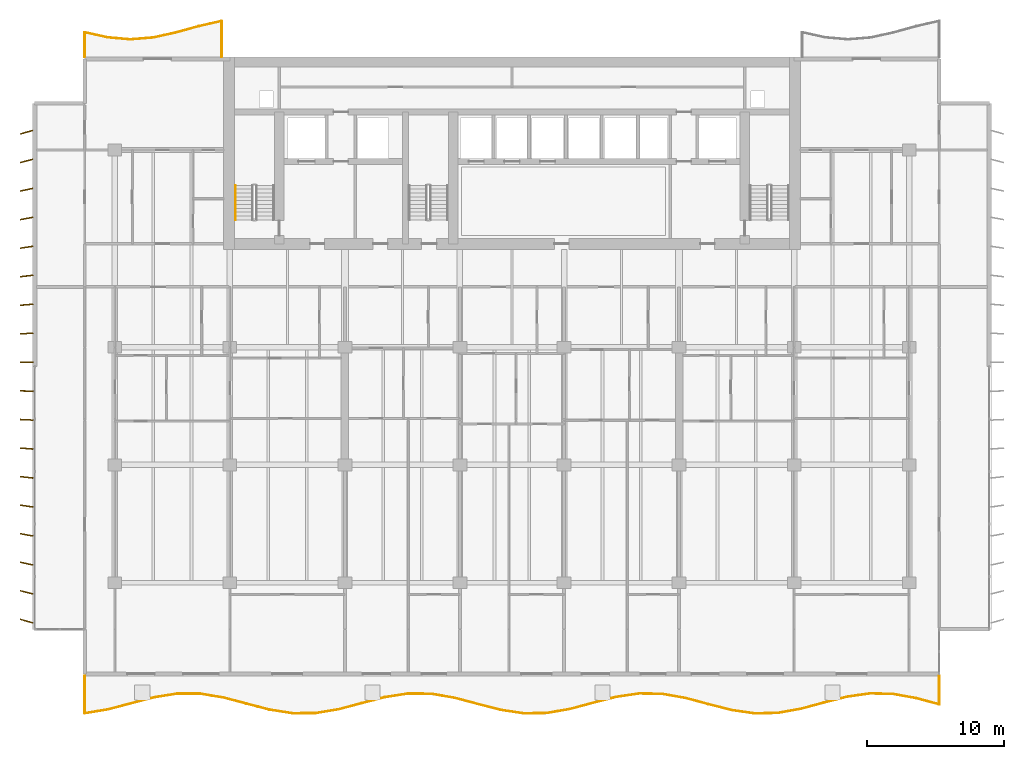
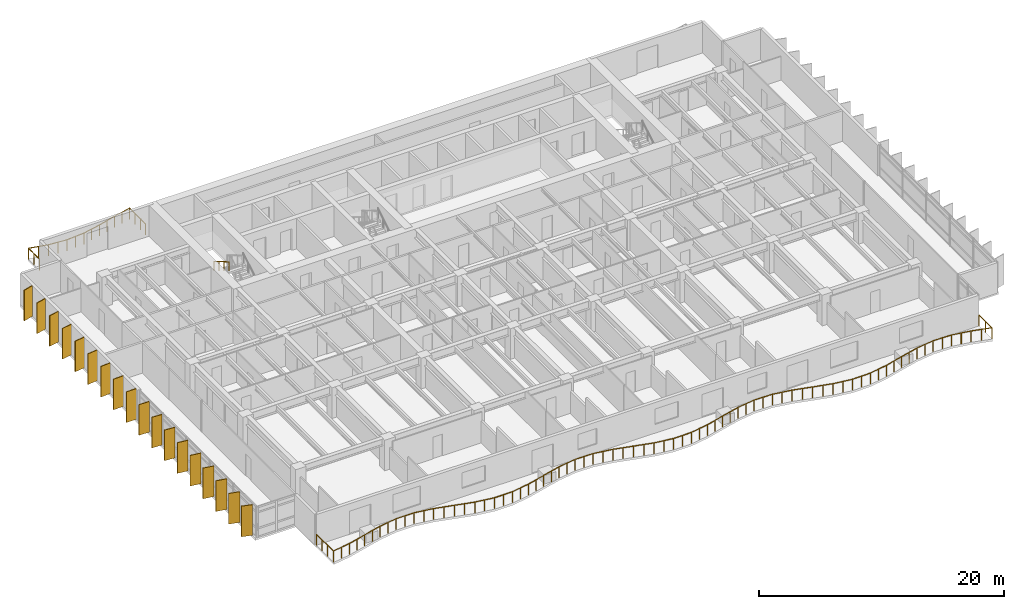
# One storey, part 16 of 19: 18 shading devices, 3 railings.
"""IFC4 building model written with IfcOpenShell, lengths in metres."""

from ifc_helpers import new_model, si_unit, direction, frame, origin, origin_2d, place, context, subcontext, project, spatial, rectangle, circle, extrude, material, material_profile, profile_set, type_object, element, save


model = new_model("IFC4")

# Units and contexts
model_context = context("Model", 3, precision=1e-05, world=origin(), true_north=direction((0.0, 1.0)))
body_context = subcontext(model_context, "Body", "Model", "MODEL_VIEW")
ifc_project = project(units=[si_unit("LENGTHUNIT", "METRE"), si_unit("AREAUNIT", "SQUARE_METRE"), si_unit("VOLUMEUNIT", "CUBIC_METRE"), si_unit("PLANEANGLEUNIT", "RADIAN"), si_unit("MASSUNIT", "GRAM", prefix="KILO")], contexts=[model_context])

# Site, building, storey
site_placement = place(None, origin())
site = spatial("IfcSite", under=ifc_project, at=site_placement, CompositionType="ELEMENT")
building_placement = place(site_placement, origin())
building = spatial("IfcBuilding", under=site, at=building_placement, Name="Caelmar Bay Residences", CompositionType="ELEMENT")
storey_placement = place(building_placement, frame((0.0, 0.0, 91.199951171875)))
storey = spatial("IfcBuildingStorey", under=building, at=storey_placement, Name="L24", CompositionType="ELEMENT", Elevation=91.199951171875)

# Railings
ifc_material_1 = material(Name="Anodised bronze handrail with laminated hurricane glass infill", Category="glass")
railing_type_1 = type_object("IfcRailingType", Name="RL-BAL-1100", PredefinedType="BALUSTRADE", material=ifc_material_1)
railing_1_placement = place(storey_placement, frame((7.699951171875, 5.39990234375, 0.0)))
element("IfcRailing", 1, at=railing_1_placement, inside=storey, type_object=railing_type_1, Name="L24 south Balcony Balustrade", PredefinedType="BALUSTRADE", context=body_context, shape_type="SweptSolid", body=[
    extrude(circle(Radius=0.02392578125, at=origin_2d()), frame((0.0, 0.0, 1.076171875), z_axis=(0.0, -1.0, 0.0), x_axis=(1.0, 0.0, 0.0)), (0.0, 0.0, 1.0), 2.733154296875),
    extrude(circle(Radius=0.02392578125, at=origin_2d()), frame((0.0, -2.733154296875, 1.076171875), z_axis=(0.987065173656, 0.160319502728, 0.0), x_axis=(-0.160319502728, 0.987065173656, 0.0)), (0.0, 0.0, 1.0), 1.708740234375),
    extrude(circle(Radius=0.02392578125, at=origin_2d()), frame((1.6865234375, -2.459228515625, 1.076171875), z_axis=(0.967208611975, 0.253983268981, 0.0), x_axis=(-0.253983268981, 0.967208611975, 0.0)), (0.0, 0.0, 1.0), 1.74365234375),
    extrude(circle(Radius=0.02392578125, at=origin_2d()), frame((3.373046875, -2.016357421875, 1.076171875), z_axis=(0.967380394838, 0.253328189673, 0.0), x_axis=(-0.253328189673, 0.967380394838, 0.0)), (0.0, 0.0, 1.0), 1.743408203125),
    extrude(circle(Radius=0.02392578125, at=origin_2d()), frame((5.0595703125, -1.57470703125, 1.076171875), z_axis=(0.987398669265, 0.158252544792, 0.0), x_axis=(-0.158252544792, 0.987398669265, 0.0)), (0.0, 0.0, 1.0), 1.707763671875),
    extrude(circle(Radius=0.02392578125, at=origin_2d()), frame((6.745849609375, -1.304443359375, 1.076171875), z_axis=(0.999995379373, -0.00303993963, 0.0), x_axis=(0.00303993963, 0.999995379373, 0.0)), (0.0, 0.0, 1.0), 1.6865234375),
    extrude(circle(Radius=0.02392578125, at=origin_2d()), frame((8.432373046875, -1.3095703125, 1.076171875), z_axis=(0.986655160989, -0.162823810586, 0.0), x_axis=(0.162823810586, 0.986655160989, 0.0)), (0.0, 0.0, 1.0), 1.709228515625),
    extrude(circle(Radius=0.02392578125, at=origin_2d()), frame((10.118896484375, -1.587890625, 1.076171875), z_axis=(0.966932964521, -0.255030668986, 0.0), x_axis=(0.255030668986, 0.966932964521, 0.0)), (0.0, 0.0, 1.0), 1.744140625),
    extrude(circle(Radius=0.02392578125, at=origin_2d()), frame((11.805419921875, -2.03271484375, 1.076171875), z_axis=(0.967654450577, -0.252279337795, 0.0), x_axis=(0.252279337795, 0.967654450577, 0.0)), (0.0, 0.0, 1.0), 1.742919921875),
    extrude(circle(Radius=0.02392578125, at=origin_2d()), frame((13.491943359375, -2.472412109375, 1.076171875), z_axis=(0.987823182146, -0.155580721218, 0.0), x_axis=(0.155580721218, 0.987823182146, 0.0)), (0.0, 0.0, 1.0), 1.707275390625),
    extrude(circle(Radius=0.02392578125, at=origin_2d()), frame((15.178466796875, -2.738037109375, 1.076171875), z_axis=(0.999979715819, 0.006369297553, 0.0), x_axis=(-0.006369297553, 0.999979715819, 0.0)), (0.0, 0.0, 1.0), 1.6865234375),
    extrude(circle(Radius=0.02392578125, at=origin_2d()), frame((16.864990234375, -2.727294921875, 1.076171875), z_axis=(0.986215858192, 0.165463836081, 0.0), x_axis=(-0.165463836081, 0.986215858192, 0.0)), (0.0, 0.0, 1.0), 1.710205078125),
    extrude(circle(Radius=0.02392578125, at=origin_2d()), frame((18.551513671875, -2.4443359375, 1.076171875), z_axis=(0.966716428408, 0.255850243395, 0.0), x_axis=(-0.255850243395, 0.966716428408, 0.0)), (0.0, 0.0, 1.0), 1.744384765625),
    extrude(circle(Radius=0.02392578125, at=origin_2d()), frame((20.23779296875, -1.998046875, 1.076171875), z_axis=(0.967927523166, 0.251229595981, 0.0), x_axis=(-0.251229595981, 0.967927523166, 0.0)), (0.0, 0.0, 1.0), 1.742431640625),
    extrude(circle(Radius=0.02392578125, at=origin_2d()), frame((21.92431640625, -1.560302734375, 1.076171875), z_axis=(0.988215723796, 0.153067577369, 0.0), x_axis=(-0.153067577369, 0.988215723796, 0.0)), (0.0, 0.0, 1.0), 1.70654296875),
    extrude(circle(Radius=0.02392578125, at=origin_2d()), frame((23.61083984375, -1.299072265625, 1.076171875), z_axis=(0.999952968989, -0.009698443677, 0.0), x_axis=(0.009698443677, 0.999952968989, 0.0)), (0.0, 0.0, 1.0), 1.6865234375),
    extrude(circle(Radius=0.02392578125, at=origin_2d()), frame((25.29736328125, -1.3154296875, 1.076171875), z_axis=(0.985793532406, -0.167961636891, 0.0), x_axis=(0.167961636891, 0.985793532406, 0.0)), (0.0, 0.0, 1.0), 1.7109375),
    extrude(circle(Radius=0.02392578125, at=origin_2d()), frame((26.98388671875, -1.602783203125, 1.076171875), z_axis=(0.966482957284, -0.256730779765, 0.0), x_axis=(0.256730779765, 0.966482957284, 0.0)), (0.0, 0.0, 1.0), 1.7451171875),
    extrude(circle(Radius=0.02392578125, at=origin_2d()), frame((28.67041015625, -2.05078125, 1.076171875), z_axis=(0.968165653022, -0.250310343992, 0.0), x_axis=(0.250310343992, 0.968165653022, 0.0)), (0.0, 0.0, 1.0), 1.741943359375),
    extrude(circle(Radius=0.02392578125, at=origin_2d()), frame((30.35693359375, -2.48681640625, 1.076171875), z_axis=(0.988641503108, -0.150292974991, 0.0), x_axis=(0.150292974991, 0.988641503108, 0.0)), (0.0, 0.0, 1.0), 1.70556640625),
    extrude(circle(Radius=0.02392578125, at=origin_2d()), frame((32.043212890625, -2.7431640625, 1.076171875), z_axis=(0.999915141552, 0.013027267333, 0.0), x_axis=(-0.013027267333, 0.999915141552, 0.0)), (0.0, 0.0, 1.0), 1.686767578125),
    extrude(circle(Radius=0.02392578125, at=origin_2d()), frame((33.729736328125, -2.72119140625, 1.076171875), z_axis=(0.985341285462, 0.170594698525, 0.0), x_axis=(-0.170594698525, 0.985341285462, 0.0)), (0.0, 0.0, 1.0), 1.711669921875),
    extrude(circle(Radius=0.02392578125, at=origin_2d()), frame((35.416259765625, -2.42919921875, 1.076171875), z_axis=(0.966309193943, 0.257384035445, 0.0), x_axis=(-0.257384035445, 0.966309193943, 0.0)), (0.0, 0.0, 1.0), 1.745361328125),
    extrude(circle(Radius=0.02392578125, at=origin_2d()), frame((37.102783203125, -1.97998046875, 1.076171875), z_axis=(0.968436874768, 0.249258940842, 0.0), x_axis=(-0.249258940842, 0.968436874768, 0.0)), (0.0, 0.0, 1.0), 1.741455078125),
    extrude(circle(Radius=0.02392578125, at=origin_2d()), frame((38.789306640625, -1.5458984375, 1.076171875), z_axis=(0.989045303054, 0.147612291177, 0.0), x_axis=(-0.147612291177, 0.989045303054, 0.0)), (0.0, 0.0, 1.0), 1.705322265625),
    extrude(circle(Radius=0.02392578125, at=origin_2d()), frame((40.475830078125, -1.294189453125, 1.076171875), z_axis=(0.999863859809, -0.016500359007, 0.0), x_axis=(0.016500359007, 0.999863859809, 0.0)), (0.0, 0.0, 1.0), 1.686767578125),
    extrude(circle(Radius=0.02392578125, at=origin_2d()), frame((42.162353515625, -1.322021484375, 1.076171875), z_axis=(0.984926778212, -0.172971794118, 0.0), x_axis=(0.172971794118, 0.984926778212, 0.0)), (0.0, 0.0, 1.0), 1.712158203125),
    extrude(circle(Radius=0.02392578125, at=origin_2d()), frame((43.8486328125, -1.6181640625, 1.076171875), z_axis=(0.96606528911, -0.258298000722, 0.0), x_axis=(0.258298000722, 0.96606528911, 0.0)), (0.0, 0.0, 1.0), 1.745849609375),
    extrude(circle(Radius=0.02392578125, at=origin_2d()), frame((45.53515625, -2.069091796875, 1.076171875), z_axis=(0.968740814455, -0.248075058015, 0.0), x_axis=(0.248075058015, 0.968740814455, 0.0)), (0.0, 0.0, 1.0), 1.740966796875),
    extrude(circle(Radius=0.02392578125, at=origin_2d()), frame((47.2216796875, -2.5009765625, 1.076171875), z_axis=(0.989459562503, -0.144809440893, 0.0), x_axis=(0.144809440893, 0.989459562503, 0.0)), (0.0, 0.0, 1.0), 1.70458984375),
    extrude(circle(Radius=0.02392578125, at=origin_2d()), frame((48.908203125, -2.747802734375, 1.076171875), z_axis=(0.999806261051, 0.01968350485, 0.0), x_axis=(-0.01968350485, 0.999806261051, 0.0)), (0.0, 0.0, 1.0), 1.686767578125),
    extrude(circle(Radius=0.02392578125, at=origin_2d()), frame((50.5947265625, -2.714599609375, 1.076171875), z_axis=(0.984466306135, 0.175573608737, 0.0), x_axis=(-0.175573608737, 0.984466306135, 0.0)), (0.0, 0.0, 1.0), 1.713134765625),
    extrude(circle(Radius=0.02392578125, at=origin_2d()), frame((52.28125, -2.413818359375, 1.076171875), z_axis=(0.965881240194, 0.258985385383, 0.0), x_axis=(-0.258985385383, 0.965881240194, 0.0)), (0.0, 0.0, 1.0), 1.745849609375),
    extrude(circle(Radius=0.02392578125, at=origin_2d()), frame((53.967529296875, -1.961669921875, 1.076171875), z_axis=(0.969043495909, 0.246890062652, 0.0), x_axis=(-0.246890062652, 0.969043495909, 0.0)), (0.0, 0.0, 1.0), 1.740478515625),
    extrude(circle(Radius=0.02392578125, at=origin_2d()), frame((55.654052734375, -1.531982421875, 1.076171875), z_axis=(0.989846061572, 0.142143499288, 0.0), x_axis=(-0.142143499288, 0.989846061572, 0.0)), (0.0, 0.0, 1.0), 1.703857421875),
    extrude(circle(Radius=0.02392578125, at=origin_2d()), frame((57.340576171875, -1.289794921875, 1.076171875), z_axis=(0.99973187913, -0.023155341729, 0.0), x_axis=(0.023155341729, 0.99973187913, 0.0)), (0.0, 0.0, 1.0), 1.68701171875),
    extrude(circle(Radius=0.02392578125, at=origin_2d()), frame((59.027099609375, -1.328857421875, 1.076171875), z_axis=(0.984044935077, -0.177920110583, 0.0), x_axis=(0.177920110583, 0.984044935077, 0.0)), (0.0, 0.0, 1.0), 1.7138671875),
    extrude(circle(Radius=0.02392578125, at=origin_2d()), frame((60.713623046875, -1.6337890625, 1.076171875), z_axis=(0.965715569581, -0.259602462755, 0.0), x_axis=(0.259602462755, 0.965715569581, 0.0)), (0.0, 0.0, 1.0), 1.746337890625),
    extrude(circle(Radius=0.02392578125, at=origin_2d()), frame((62.400146484375, -2.087158203125, 1.076171875), z_axis=(0.0, 1.0, 0.0), x_axis=(-1.0, 0.0, 0.0)), (0.0, 0.0, 1.0), 2.087158203125),
    extrude(circle(Radius=0.02099609375, at=origin_2d()), origin(), (0.0, 0.0, 1.0), 1.052001953125),
    extrude(circle(Radius=0.02099609375, at=origin_2d()), frame((0.0, -0.9111328125, 0.0)), (0.0, 0.0, 1.0), 1.052001953125),
    extrude(circle(Radius=0.02099609375, at=origin_2d()), frame((0.0, -1.822021484375, 0.0)), (0.0, 0.0, 1.0), 1.052001953125),
    extrude(circle(Radius=0.02099609375, at=origin_2d()), frame((0.0, -2.733154296875, 0.0)), (0.0, 0.0, 1.0), 1.052001953125),
    extrude(circle(Radius=0.02099609375, at=origin_2d()), frame((0.84326171875, -2.59619140625, 0.0)), (0.0, 0.0, 1.0), 1.052001953125),
    extrude(circle(Radius=0.02099609375, at=origin_2d()), frame((1.6865234375, -2.459228515625, 0.0)), (0.0, 0.0, 1.0), 1.052001953125),
    extrude(circle(Radius=0.02099609375, at=origin_2d()), frame((2.52978515625, -2.23779296875, 0.0)), (0.0, 0.0, 1.0), 1.052001953125),
    extrude(circle(Radius=0.02099609375, at=origin_2d()), frame((3.373046875, -2.016357421875, 0.0)), (0.0, 0.0, 1.0), 1.052001953125),
    extrude(circle(Radius=0.02099609375, at=origin_2d()), frame((4.21630859375, -1.79541015625, 0.0)), (0.0, 0.0, 1.0), 1.052001953125),
    extrude(circle(Radius=0.02099609375, at=origin_2d()), frame((5.0595703125, -1.57470703125, 0.0)), (0.0, 0.0, 1.0), 1.052001953125),
    extrude(circle(Radius=0.02099609375, at=origin_2d()), frame((5.90283203125, -1.439453125, 0.0)), (0.0, 0.0, 1.0), 1.052001953125),
    extrude(circle(Radius=0.02099609375, at=origin_2d()), frame((6.745849609375, -1.304443359375, 0.0)), (0.0, 0.0, 1.0), 1.052001953125),
    extrude(circle(Radius=0.02099609375, at=origin_2d()), frame((7.589111328125, -1.30712890625, 0.0)), (0.0, 0.0, 1.0), 1.052001953125),
    extrude(circle(Radius=0.02099609375, at=origin_2d()), frame((8.432373046875, -1.3095703125, 0.0)), (0.0, 0.0, 1.0), 1.052001953125),
    extrude(circle(Radius=0.02099609375, at=origin_2d()), frame((9.275634765625, -1.44873046875, 0.0)), (0.0, 0.0, 1.0), 1.052001953125),
    extrude(circle(Radius=0.02099609375, at=origin_2d()), frame((10.118896484375, -1.587890625, 0.0)), (0.0, 0.0, 1.0), 1.052001953125),
    extrude(circle(Radius=0.02099609375, at=origin_2d()), frame((10.962158203125, -1.810302734375, 0.0)), (0.0, 0.0, 1.0), 1.052001953125),
    extrude(circle(Radius=0.02099609375, at=origin_2d()), frame((11.805419921875, -2.03271484375, 0.0)), (0.0, 0.0, 1.0), 1.052001953125),
    extrude(circle(Radius=0.02099609375, at=origin_2d()), frame((12.648681640625, -2.25244140625, 0.0)), (0.0, 0.0, 1.0), 1.052001953125),
    extrude(circle(Radius=0.02099609375, at=origin_2d()), frame((13.491943359375, -2.472412109375, 0.0)), (0.0, 0.0, 1.0), 1.052001953125),
    extrude(circle(Radius=0.02099609375, at=origin_2d()), frame((14.335205078125, -2.605224609375, 0.0)), (0.0, 0.0, 1.0), 1.052001953125),
    extrude(circle(Radius=0.02099609375, at=origin_2d()), frame((15.178466796875, -2.738037109375, 0.0)), (0.0, 0.0, 1.0), 1.052001953125),
    extrude(circle(Radius=0.02099609375, at=origin_2d()), frame((16.021728515625, -2.732666015625, 0.0)), (0.0, 0.0, 1.0), 1.052001953125),
    extrude(circle(Radius=0.02099609375, at=origin_2d()), frame((16.864990234375, -2.727294921875, 0.0)), (0.0, 0.0, 1.0), 1.052001953125),
    extrude(circle(Radius=0.02099609375, at=origin_2d()), frame((17.708251953125, -2.5859375, 0.0)), (0.0, 0.0, 1.0), 1.052001953125),
    extrude(circle(Radius=0.02099609375, at=origin_2d()), frame((18.551513671875, -2.4443359375, 0.0)), (0.0, 0.0, 1.0), 1.052001953125),
    extrude(circle(Radius=0.02099609375, at=origin_2d()), frame((19.39453125, -2.22119140625, 0.0)), (0.0, 0.0, 1.0), 1.052001953125),
    extrude(circle(Radius=0.02099609375, at=origin_2d()), frame((20.23779296875, -1.998046875, 0.0)), (0.0, 0.0, 1.0), 1.052001953125),
    extrude(circle(Radius=0.02099609375, at=origin_2d()), frame((21.0810546875, -1.779296875, 0.0)), (0.0, 0.0, 1.0), 1.052001953125),
    extrude(circle(Radius=0.02099609375, at=origin_2d()), frame((21.92431640625, -1.560302734375, 0.0)), (0.0, 0.0, 1.0), 1.052001953125),
    extrude(circle(Radius=0.02099609375, at=origin_2d()), frame((22.767578125, -1.4296875, 0.0)), (0.0, 0.0, 1.0), 1.052001953125),
    extrude(circle(Radius=0.02099609375, at=origin_2d()), frame((23.61083984375, -1.299072265625, 0.0)), (0.0, 0.0, 1.0), 1.052001953125),
    extrude(circle(Radius=0.02099609375, at=origin_2d()), frame((24.4541015625, -1.30712890625, 0.0)), (0.0, 0.0, 1.0), 1.052001953125),
    extrude(circle(Radius=0.02099609375, at=origin_2d()), frame((25.29736328125, -1.3154296875, 0.0)), (0.0, 0.0, 1.0), 1.052001953125),
    extrude(circle(Radius=0.02099609375, at=origin_2d()), frame((26.140625, -1.458984375, 0.0)), (0.0, 0.0, 1.0), 1.052001953125),
    extrude(circle(Radius=0.02099609375, at=origin_2d()), frame((26.98388671875, -1.602783203125, 0.0)), (0.0, 0.0, 1.0), 1.052001953125),
    extrude(circle(Radius=0.02099609375, at=origin_2d()), frame((27.8271484375, -1.82666015625, 0.0)), (0.0, 0.0, 1.0), 1.052001953125),
    extrude(circle(Radius=0.02099609375, at=origin_2d()), frame((28.67041015625, -2.05078125, 0.0)), (0.0, 0.0, 1.0), 1.052001953125),
    extrude(circle(Radius=0.02099609375, at=origin_2d()), frame((29.513671875, -2.268798828125, 0.0)), (0.0, 0.0, 1.0), 1.052001953125),
    extrude(circle(Radius=0.02099609375, at=origin_2d()), frame((30.35693359375, -2.48681640625, 0.0)), (0.0, 0.0, 1.0), 1.052001953125),
    extrude(circle(Radius=0.02099609375, at=origin_2d()), frame((31.2001953125, -2.614990234375, 0.0)), (0.0, 0.0, 1.0), 1.052001953125),
    extrude(circle(Radius=0.02099609375, at=origin_2d()), frame((32.043212890625, -2.7431640625, 0.0)), (0.0, 0.0, 1.0), 1.052001953125),
    extrude(circle(Radius=0.02099609375, at=origin_2d()), frame((32.886474609375, -2.732177734375, 0.0)), (0.0, 0.0, 1.0), 1.052001953125),
    extrude(circle(Radius=0.02099609375, at=origin_2d()), frame((33.729736328125, -2.72119140625, 0.0)), (0.0, 0.0, 1.0), 1.052001953125),
    extrude(circle(Radius=0.02099609375, at=origin_2d()), frame((34.572998046875, -2.5751953125, 0.0)), (0.0, 0.0, 1.0), 1.052001953125),
    extrude(circle(Radius=0.02099609375, at=origin_2d()), frame((35.416259765625, -2.42919921875, 0.0)), (0.0, 0.0, 1.0), 1.052001953125),
    extrude(circle(Radius=0.02099609375, at=origin_2d()), frame((36.259521484375, -2.20458984375, 0.0)), (0.0, 0.0, 1.0), 1.052001953125),
    extrude(circle(Radius=0.02099609375, at=origin_2d()), frame((37.102783203125, -1.97998046875, 0.0)), (0.0, 0.0, 1.0), 1.052001953125),
    extrude(circle(Radius=0.02099609375, at=origin_2d()), frame((37.946044921875, -1.762939453125, 0.0)), (0.0, 0.0, 1.0), 1.052001953125),
    extrude(circle(Radius=0.02099609375, at=origin_2d()), frame((38.789306640625, -1.5458984375, 0.0)), (0.0, 0.0, 1.0), 1.052001953125),
    extrude(circle(Radius=0.02099609375, at=origin_2d()), frame((39.632568359375, -1.419921875, 0.0)), (0.0, 0.0, 1.0), 1.052001953125),
    extrude(circle(Radius=0.02099609375, at=origin_2d()), frame((40.475830078125, -1.294189453125, 0.0)), (0.0, 0.0, 1.0), 1.052001953125),
    extrude(circle(Radius=0.02099609375, at=origin_2d()), frame((41.319091796875, -1.30810546875, 0.0)), (0.0, 0.0, 1.0), 1.052001953125),
    extrude(circle(Radius=0.02099609375, at=origin_2d()), frame((42.162353515625, -1.322021484375, 0.0)), (0.0, 0.0, 1.0), 1.052001953125),
    extrude(circle(Radius=0.02099609375, at=origin_2d()), frame((43.00537109375, -1.47021484375, 0.0)), (0.0, 0.0, 1.0), 1.052001953125),
    extrude(circle(Radius=0.02099609375, at=origin_2d()), frame((43.8486328125, -1.6181640625, 0.0)), (0.0, 0.0, 1.0), 1.052001953125),
    extrude(circle(Radius=0.02099609375, at=origin_2d()), frame((44.69189453125, -1.84375, 0.0)), (0.0, 0.0, 1.0), 1.052001953125),
    extrude(circle(Radius=0.02099609375, at=origin_2d()), frame((45.53515625, -2.069091796875, 0.0)), (0.0, 0.0, 1.0), 1.052001953125),
    extrude(circle(Radius=0.02099609375, at=origin_2d()), frame((46.37841796875, -2.28515625, 0.0)), (0.0, 0.0, 1.0), 1.052001953125),
    extrude(circle(Radius=0.02099609375, at=origin_2d()), frame((47.2216796875, -2.5009765625, 0.0)), (0.0, 0.0, 1.0), 1.052001953125),
    extrude(circle(Radius=0.02099609375, at=origin_2d()), frame((48.06494140625, -2.62451171875, 0.0)), (0.0, 0.0, 1.0), 1.052001953125),
    extrude(circle(Radius=0.02099609375, at=origin_2d()), frame((48.908203125, -2.747802734375, 0.0)), (0.0, 0.0, 1.0), 1.052001953125),
    extrude(circle(Radius=0.02099609375, at=origin_2d()), frame((49.75146484375, -2.731201171875, 0.0)), (0.0, 0.0, 1.0), 1.052001953125),
    extrude(circle(Radius=0.02099609375, at=origin_2d()), frame((50.5947265625, -2.714599609375, 0.0)), (0.0, 0.0, 1.0), 1.052001953125),
    extrude(circle(Radius=0.02099609375, at=origin_2d()), frame((51.43798828125, -2.564208984375, 0.0)), (0.0, 0.0, 1.0), 1.052001953125),
    extrude(circle(Radius=0.02099609375, at=origin_2d()), frame((52.28125, -2.413818359375, 0.0)), (0.0, 0.0, 1.0), 1.052001953125),
    extrude(circle(Radius=0.02099609375, at=origin_2d()), frame((53.12451171875, -2.187744140625, 0.0)), (0.0, 0.0, 1.0), 1.052001953125),
    extrude(circle(Radius=0.02099609375, at=origin_2d()), frame((53.967529296875, -1.961669921875, 0.0)), (0.0, 0.0, 1.0), 1.052001953125),
    extrude(circle(Radius=0.02099609375, at=origin_2d()), frame((54.810791015625, -1.746826171875, 0.0)), (0.0, 0.0, 1.0), 1.052001953125),
    extrude(circle(Radius=0.02099609375, at=origin_2d()), frame((55.654052734375, -1.531982421875, 0.0)), (0.0, 0.0, 1.0), 1.052001953125),
    extrude(circle(Radius=0.02099609375, at=origin_2d()), frame((56.497314453125, -1.410888671875, 0.0)), (0.0, 0.0, 1.0), 1.052001953125),
    extrude(circle(Radius=0.02099609375, at=origin_2d()), frame((57.340576171875, -1.289794921875, 0.0)), (0.0, 0.0, 1.0), 1.052001953125),
    extrude(circle(Radius=0.02099609375, at=origin_2d()), frame((58.183837890625, -1.309326171875, 0.0)), (0.0, 0.0, 1.0), 1.052001953125),
    extrude(circle(Radius=0.02099609375, at=origin_2d()), frame((59.027099609375, -1.328857421875, 0.0)), (0.0, 0.0, 1.0), 1.052001953125),
    extrude(circle(Radius=0.02099609375, at=origin_2d()), frame((59.870361328125, -1.4814453125, 0.0)), (0.0, 0.0, 1.0), 1.052001953125),
    extrude(circle(Radius=0.02099609375, at=origin_2d()), frame((60.713623046875, -1.6337890625, 0.0)), (0.0, 0.0, 1.0), 1.052001953125),
    extrude(circle(Radius=0.02099609375, at=origin_2d()), frame((61.556884765625, -1.8603515625, 0.0)), (0.0, 0.0, 1.0), 1.052001953125),
    extrude(circle(Radius=0.02099609375, at=origin_2d()), frame((62.400146484375, -2.087158203125, 0.0)), (0.0, 0.0, 1.0), 1.052001953125),
    extrude(circle(Radius=0.02099609375, at=origin_2d()), frame((62.400146484375, -1.04345703125, 0.0)), (0.0, 0.0, 1.0), 1.052001953125),
    extrude(circle(Radius=0.02099609375, at=origin_2d()), frame((62.400146484375, 0.0, 0.0)), (0.0, 0.0, 1.0), 1.052001953125),
])
railing_2_placement = place(storey_placement, frame((17.699951171875, 50.60009765625, 0.0)))
element("IfcRailing", 2, at=railing_2_placement, inside=storey, type_object=railing_type_1, Name="L24 north_west Balcony Balustrade", PredefinedType="BALUSTRADE", context=body_context, shape_type="SweptSolid", body=[
    extrude(circle(Radius=0.02392578125, at=origin_2d()), frame((0.0, 0.0, 1.076171875), z_axis=(0.0, 1.0, 0.0), x_axis=(-1.0, 0.0, 0.0)), (0.0, 0.0, 1.0), 2.61328125),
    extrude(circle(Radius=0.02392578125, at=origin_2d()), frame((0.0, 2.61328125, 1.076171875), z_axis=(-0.97505844271, -0.22194826717, 0.0), x_axis=(0.22194826717, -0.97505844271, 0.0)), (0.0, 0.0, 1.0), 1.70947265625),
    extrude(circle(Radius=0.02392578125, at=origin_2d()), frame((-1.666748046875, 2.23388671875, 1.076171875), z_axis=(-0.963957656343, -0.266055702395, 0.0), x_axis=(0.266055702395, -0.963957656343, 0.0)), (0.0, 0.0, 1.0), 1.728759765625),
    extrude(circle(Radius=0.02392578125, at=origin_2d()), frame((-3.333251953125, 1.77392578125, 1.076171875), z_axis=(-0.976552526697, -0.215279266541, 0.0), x_axis=(0.215279266541, -0.976552526697, 0.0)), (0.0, 0.0, 1.0), 1.706787109375),
    extrude(circle(Radius=0.02392578125, at=origin_2d()), frame((-5.0, 1.406494140625, 1.076171875), z_axis=(-0.996664532496, -0.081607656901, 0.0), x_axis=(0.081607656901, -0.996664532496, 0.0)), (0.0, 0.0, 1.0), 1.67236328125),
    extrude(circle(Radius=0.02392578125, at=origin_2d()), frame((-6.666748046875, 1.27001953125, 1.076171875), z_axis=(-0.996222494494, 0.086837442752, 0.0), x_axis=(-0.086837442752, -0.996222494494, 0.0)), (0.0, 0.0, 1.0), 1.6728515625),
    extrude(circle(Radius=0.02392578125, at=origin_2d()), frame((-8.333251953125, 1.415283203125, 1.076171875), z_axis=(-0.975886786745, 0.218277299452, 0.0), x_axis=(-0.218277299452, -0.975886786745, 0.0)), (0.0, 0.0, 1.0), 1.7080078125),
    extrude(circle(Radius=0.02392578125, at=origin_2d()), frame((-10.0, 1.7880859375, 1.076171875), z_axis=(0.0, -1.0, 0.0), x_axis=(1.0, 0.0, 0.0)), (0.0, 0.0, 1.0), 1.7880859375),
    extrude(circle(Radius=0.02099609375, at=origin_2d()), origin(), (0.0, 0.0, 1.0), 1.052001953125),
    extrude(circle(Radius=0.02099609375, at=origin_2d()), frame((0.0, 0.87109375, 0.0)), (0.0, 0.0, 1.0), 1.052001953125),
    extrude(circle(Radius=0.02099609375, at=origin_2d()), frame((0.0, 1.7421875, 0.0)), (0.0, 0.0, 1.0), 1.052001953125),
    extrude(circle(Radius=0.02099609375, at=origin_2d()), frame((0.0, 2.61328125, 0.0)), (0.0, 0.0, 1.0), 1.052001953125),
    extrude(circle(Radius=0.02099609375, at=origin_2d()), frame((-0.83349609375, 2.423583984375, 0.0)), (0.0, 0.0, 1.0), 1.052001953125),
    extrude(circle(Radius=0.02099609375, at=origin_2d()), frame((-1.666748046875, 2.23388671875, 0.0)), (0.0, 0.0, 1.0), 1.052001953125),
    extrude(circle(Radius=0.02099609375, at=origin_2d()), frame((-2.5, 2.00390625, 0.0)), (0.0, 0.0, 1.0), 1.052001953125),
    extrude(circle(Radius=0.02099609375, at=origin_2d()), frame((-3.333251953125, 1.77392578125, 0.0)), (0.0, 0.0, 1.0), 1.052001953125),
    extrude(circle(Radius=0.02099609375, at=origin_2d()), frame((-4.16650390625, 1.59033203125, 0.0)), (0.0, 0.0, 1.0), 1.052001953125),
    extrude(circle(Radius=0.02099609375, at=origin_2d()), frame((-5.0, 1.406494140625, 0.0)), (0.0, 0.0, 1.0), 1.052001953125),
    extrude(circle(Radius=0.02099609375, at=origin_2d()), frame((-5.83349609375, 1.33837890625, 0.0)), (0.0, 0.0, 1.0), 1.052001953125),
    extrude(circle(Radius=0.02099609375, at=origin_2d()), frame((-6.666748046875, 1.27001953125, 0.0)), (0.0, 0.0, 1.0), 1.052001953125),
    extrude(circle(Radius=0.02099609375, at=origin_2d()), frame((-7.5, 1.3427734375, 0.0)), (0.0, 0.0, 1.0), 1.052001953125),
    extrude(circle(Radius=0.02099609375, at=origin_2d()), frame((-8.333251953125, 1.415283203125, 0.0)), (0.0, 0.0, 1.0), 1.052001953125),
    extrude(circle(Radius=0.02099609375, at=origin_2d()), frame((-9.16650390625, 1.6015625, 0.0)), (0.0, 0.0, 1.0), 1.052001953125),
    extrude(circle(Radius=0.02099609375, at=origin_2d()), frame((-10.0, 1.7880859375, 0.0)), (0.0, 0.0, 1.0), 1.052001953125),
    extrude(circle(Radius=0.02099609375, at=origin_2d()), frame((-10.0, 0.89404296875, 0.0)), (0.0, 0.0, 1.0), 1.052001953125),
    extrude(circle(Radius=0.02099609375, at=origin_2d()), frame((-10.0, 0.0, 0.0)), (0.0, 0.0, 1.0), 1.052001953125),
])
ifc_material_2 = material(Name="Brushed bronze stainless-steel tubular handrail 900 mm", Category="steel")
railing_type_2 = type_object("IfcRailingType", Name="RL-HND-900", PredefinedType="HANDRAIL", material=ifc_material_2)
railing_3_placement = place(storey_placement, frame((18.699951171875, 41.219970703125, 1.81494140625)))
element("IfcRailing", 3, at=railing_3_placement, inside=storey, type_object=railing_type_2, Name="L24 ST1 stair handrail 2", PredefinedType="HANDRAIL", context=body_context, shape_type="SweptSolid", body=[
    extrude(circle(Radius=0.02392578125, at=origin_2d()), frame((0.0, 0.0, 0.8759765625), z_axis=(0.0, -0.86152411907, 0.507716645641), x_axis=(1.0, 0.0, 0.0)), (0.0, 0.0, 1.0), 2.925048828125),
    extrude(circle(Radius=0.02099609375, at=origin_2d()), origin(), (0.0, 0.0, 1.0), 0.851806640625),
    extrude(circle(Radius=0.02099609375, at=origin_2d()), frame((0.0, -0.840087890625, 0.4951171875)), (0.0, 0.0, 1.0), 0.851806640625),
    extrude(circle(Radius=0.02099609375, at=origin_2d()), frame((0.0, -1.679931640625, 0.989990234375)), (0.0, 0.0, 1.0), 0.851806640625),
    extrude(circle(Radius=0.02099609375, at=origin_2d()), frame((0.0, -2.52001953125, 1.485107421875)), (0.0, 0.0, 1.0), 0.851806640625),
])

# Shading devices
ifc_material_3 = material(Name="Anodised architectural bronze aluminium 6063-T6", Category="aluminium")
ifc_material_profile = material_profile(ifc_material_3, rectangle(XDim=0.074951171875, YDim=0.949951171875, at=origin_2d()), Name="BRONZE-FIN-75X950")
ifc_profile_set = profile_set([ifc_material_profile], Name="Anodised architectural bronze aluminium 6063-T6")
shading_device_type = type_object("IfcShadingDeviceType", Name="SHD-FIN-950", PredefinedType="USERDEFINED", material=ifc_profile_set)
for number, where, z_axis, x_axis, name in (
    (4, (3.449951171875, 9.39990234375, 0.0), (0.0, 0.0, 1.0), (0.275637355817, 0.961261695938, 0.0), "L24 West Bronze Solar Fin 1"),
    (5, (3.449951171875, 11.5, 0.0), (0.0, 0.0, 1.0), (0.243953546137, 0.969786918517, 0.0), "L24 West Bronze Solar Fin 2"),
    (6, (3.449951171875, 13.60009765625, 0.0), (0.0, 0.0, 1.0), (0.212007109922, 0.977268123568, 0.0), "L24 West Bronze Solar Fin 3"),
    (7, (3.449951171875, 15.699951171875, 0.0), (0.0, 0.0, 1.0), (0.179660748593, 0.98372862895, 0.0), "L24 West Bronze Solar Fin 4"),
    (8, (3.449951171875, 17.800048828125, 0.0), (0.0, 0.0, 1.0), (0.147291543397, 0.989093120613, 0.0), "L24 West Bronze Solar Fin 5"),
    (9, (3.449951171875, 19.89990234375, 0.0), (0.0, 0.0, 1.0), (0.114763772489, 0.993392810787, 0.0), "L24 West Bronze Solar Fin 6"),
    (10, (3.449951171875, 22.0, 0.0), (0.0, 0.0, 1.0), (0.08211245342, 0.996623070671, 0.0), "L24 West Bronze Solar Fin 7"),
    (11, (3.449951171875, 24.10009765625, 0.0), (0.0, 0.0, 1.0), (0.049198415926, 0.998789024705, 0.0), "L24 West Bronze Solar Fin 8"),
    (12, (3.449951171875, 26.199951171875, 0.0), (0.0, 0.0, 1.0), (0.016405359001, 0.999865423043, 0.0), "L24 West Bronze Solar Fin 9"),
    (13, (3.449951171875, 28.300048828125, 0.0), (0.0, 0.0, 1.0), (-0.016405359001, 0.999865423043, 0.0), "L24 West Bronze Solar Fin 10"),
    (14, (3.449951171875, 30.39990234375, 0.0), (0.0, 0.0, 1.0), (-0.049198415926, 0.998789024705, 0.0), "L24 West Bronze Solar Fin 11"),
    (15, (3.449951171875, 32.5, 0.0), (0.0, 0.0, 1.0), (-0.08211245342, 0.996623070671, 0.0), "L24 West Bronze Solar Fin 12"),
    (16, (3.449951171875, 34.60009765625, 0.0), (0.0, 0.0, 1.0), (-0.114763772489, 0.993392810787, 0.0), "L24 West Bronze Solar Fin 13"),
    (17, (3.449951171875, 36.699951171875, 0.0), (0.0, 0.0, 1.0), (-0.147291543397, 0.989093120613, 0.0), "L24 West Bronze Solar Fin 14"),
    (18, (3.449951171875, 38.800048828125, 0.0), (0.0, 0.0, 1.0), (-0.179660748593, 0.98372862895, 0.0), "L24 West Bronze Solar Fin 15"),
    (19, (3.449951171875, 40.89990234375, 0.0), (0.0, 0.0, 1.0), (-0.212007109922, 0.977268123568, 0.0), "L24 West Bronze Solar Fin 16"),
    (20, (3.449951171875, 43.0, 0.0), (0.0, 0.0, 1.0), (-0.243953546137, 0.969786918517, 0.0), "L24 West Bronze Solar Fin 17"),
    (21, (3.449951171875, 45.10009765625, 0.0), (0.0, 0.0, 1.0), (-0.275637355817, 0.961261695938, 0.0), "L24 West Bronze Solar Fin 18"),
):
    element("IfcShadingDevice", number, at=place(storey_placement, frame(where, z_axis=z_axis, x_axis=x_axis)), inside=storey, type_object=shading_device_type, Name=name, ObjectType="FIN", PredefinedType="USERDEFINED", context=body_context, shape_type="SweptSolid", body=[
        extrude(rectangle(XDim=0.074951171875, YDim=0.949951171875, at=origin_2d()), origin(), (0.0, 0.0, 1.0), 3.050048828125),
    ])

save(model, "model.ifc")
